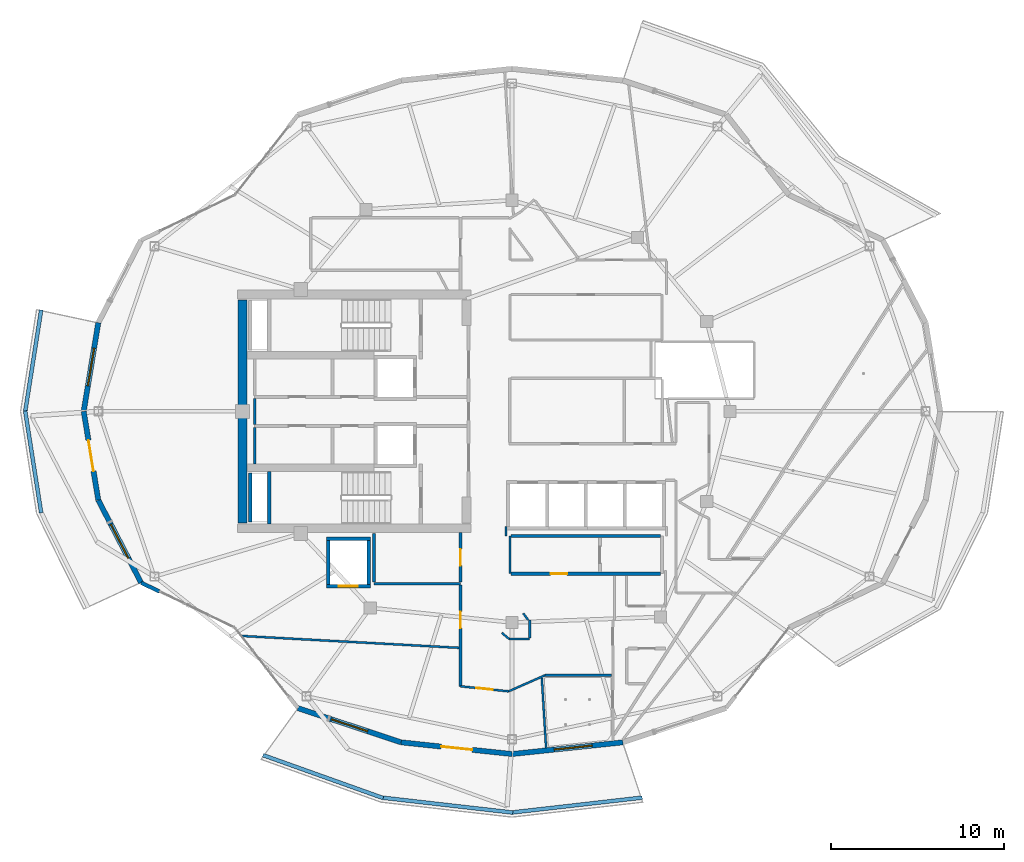
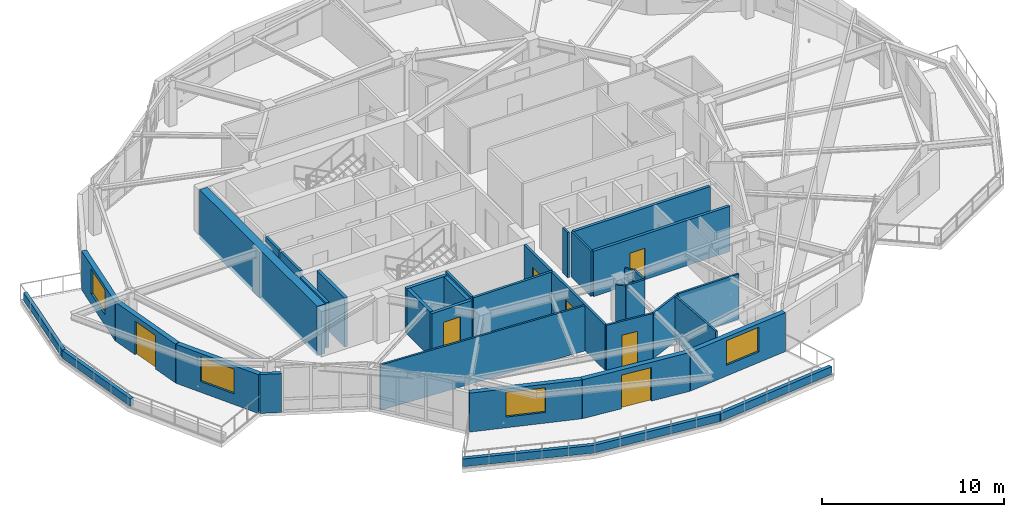
# One storey, part 7 of 19: 38 walls, 7 doors, 4 windows, 11 openings.
"""IFC4 building model written with IfcOpenShell, lengths in metres."""

import ifcopenshell
import ifcopenshell.guid

model = None  # the IFC model being written
_history = None  # IfcOwnerHistory: only IFC2X3 demands one
_inside = {}  # id of a spatial element -> (the spatial element, [elements in it])
_under = {}  # id of a project, library or spatial element -> (it, [spatial elements below it])
_declared = {}  # id of a project -> (the project, [libraries it declares])
_typed = {}  # id of a type object -> (the type object, [elements of that type])
_made_of = {}  # id of a material, layer set ... -> (it, [elements and type objects made of it])


def new_model(schema):
    """Start an empty IFC model of exactly this schema.

    Asked for "IFC4X3", IfcOpenShell would pick the latest addendum, in which some entities
    have other attributes; the version numbers below select the first issue.
    IFC2X3 requires an IfcOwnerHistory on every rooted entity: one is made here for all.
    """
    global model, _history
    if schema == "IFC4X3":
        model = ifcopenshell.file(schema_version=(4, 3, 0, 0))
    else:
        model = ifcopenshell.file(schema=schema)
    _inside.clear()
    _under.clear()
    _declared.clear()
    _typed.clear()
    _made_of.clear()
    _history = None
    if model.schema == "IFC2X3":
        org = make("IfcOrganization", Name="unknown")
        user = make(
            "IfcPersonAndOrganization",
            ThePerson=make("IfcPerson", FamilyName="unknown"),
            TheOrganization=org,
        )
        app = make(
            "IfcApplication",
            ApplicationDeveloper=org,
            Version="unknown",
            ApplicationFullName="unknown",
            ApplicationIdentifier="unknown",
        )
        _history = make(
            "IfcOwnerHistory",
            OwningUser=user,
            OwningApplication=app,
            ChangeAction="ADDED",
            CreationDate=0,
        )
    return model


def make(cls, **values):
    """One entity of the class cls with the attributes given. An attribute that is None is left unset."""
    return model.create_entity(
        cls, **{name: value for name, value in values.items() if value is not None}
    )


def rooted(cls, **values):
    """An entity with a GlobalId (a new one), such as an element, a storey or a relation."""
    return make(cls, GlobalId=ifcopenshell.guid.new(), OwnerHistory=_history, **values)


def si_unit(unit_type, name, prefix=None):
    """IfcSIUnit, for example si_unit("LENGTHUNIT", "METRE", prefix="MILLI")."""
    return make("IfcSIUnit", UnitType=unit_type, Prefix=prefix, Name=name)


def assignment(units):
    """IfcUnitAssignment: the units of a project."""
    return None if units is None else make("IfcUnitAssignment", Units=units)


def point(xyz):
    """IfcCartesianPoint."""
    return None if xyz is None else make("IfcCartesianPoint", Coordinates=xyz)


def direction(xyz):
    """IfcDirection."""
    return None if xyz is None else make("IfcDirection", DirectionRatios=xyz)


def frame(location, z_axis=None, x_axis=None):
    """IfcAxis2Placement3D, a coordinate frame: its origin and axes. An axis left out is left unset."""
    return make(
        "IfcAxis2Placement3D",
        Location=point(location),
        Axis=direction(z_axis),
        RefDirection=direction(x_axis),
    )


def frame_2d(location, x_axis=None):
    """IfcAxis2Placement2D, a coordinate frame in the plane: its origin and x axis."""
    return make(
        "IfcAxis2Placement2D", Location=point(location), RefDirection=direction(x_axis)
    )


def origin():
    """The frame at (0, 0, 0) with its axes left unset."""
    return frame((0.0, 0.0, 0.0))


def place(relative_to, where):
    """IfcLocalPlacement: puts the frame where relative to a parent placement (None: the world)."""
    return make(
        "IfcLocalPlacement", PlacementRelTo=relative_to, RelativePlacement=where
    )


def context(
    kind, dimensions, precision=None, world=None, true_north=None, identifier=None
):
    """IfcGeometricRepresentationContext, for example the 3D "Model" context."""
    return make(
        "IfcGeometricRepresentationContext",
        ContextIdentifier=identifier,
        ContextType=kind,
        CoordinateSpaceDimension=dimensions,
        Precision=precision,
        WorldCoordinateSystem=world,
        TrueNorth=true_north,
    )


def subcontext(parent, identifier, kind, view, scale=None):
    """IfcGeometricRepresentationSubContext, for example "Body" below "Model"."""
    return make(
        "IfcGeometricRepresentationSubContext",
        ContextIdentifier=identifier,
        ContextType=kind,
        ParentContext=parent,
        TargetScale=scale,
        TargetView=view,
    )


def project(units=None, contexts=None):
    """IfcProject with its units and contexts."""
    return rooted(
        "IfcProject",
        Name="project",
        RepresentationContexts=contexts,
        UnitsInContext=assignment(units),
    )


def spatial(cls, under=None, at=None, **own):
    """A site, building, storey or space (cls), placed at a placement, below another one or the project."""
    s = rooted(cls, ObjectPlacement=at, **own)
    if under is not None:
        _under.setdefault(under.id(), (under, []))[1].append(s)
    return s


def profile(cls, at=None, kind="AREA", **sizes):
    """A parametric profile (cls). Its sizes go by their IFC names, for example OverallWidth=200.0."""
    return make(cls, ProfileType=kind, Position=at, **sizes)


def rectangle(**sizes):
    """IfcRectangleProfileDef."""
    return profile("IfcRectangleProfileDef", **sizes)


def extrude(swept, where, along, depth):
    """IfcExtrudedAreaSolid: the profile swept, set in the frame where, extruded along a direction by depth."""
    return make(
        "IfcExtrudedAreaSolid",
        SweptArea=swept,
        Position=where,
        ExtrudedDirection=direction(along),
        Depth=depth,
    )


def shape(context_of_items, identifier, shape_type, items):
    """IfcShapeRepresentation: the items that make up one representation, for example the "Body"."""
    return make(
        "IfcShapeRepresentation",
        ContextOfItems=context_of_items,
        RepresentationIdentifier=identifier,
        RepresentationType=shape_type,
        Items=items,
    )


def material(Name=None, Category=None):
    """IfcMaterial."""
    return make("IfcMaterial", Name=Name, Category=Category)


def layer(
    of_material, thickness, ventilated=None, Name=None, Category=None, Priority=None
):
    """IfcMaterialLayer: one layer of a wall or slab, of a material (None: an air gap)."""
    return make(
        "IfcMaterialLayer",
        Material=of_material,
        LayerThickness=thickness,
        IsVentilated=ventilated,
        Name=Name,
        Category=Category,
        Priority=Priority,
    )


def layer_set(layers, Name=None):
    """IfcMaterialLayerSet."""
    return make("IfcMaterialLayerSet", MaterialLayers=layers, LayerSetName=Name)


def made_of(thing, what):
    """Note that an element or type object is made of a material, layer set ...; save() writes the relation."""
    if what is not None:
        _made_of.setdefault(what.id(), (what, []))[1].append(thing)
    return thing


def type_object(cls, material=None, **own):
    """A type object (cls), such as IfcWallType, which elements share."""
    return made_of(rooted(cls, **own), material)


def element(
    cls,
    number,
    at=None,
    inside=None,
    cuts=None,
    type_object=None,
    material=None,
    context=None,
    identifier="Body",
    shape_type=None,
    held_by="IfcProductDefinitionShape",
    body=None,
    shapes=None,
    **own,
):
    """One element of the class cls, such as IfcWall. Its Tag is "e" and its number.

    at: its placement. inside: the storey or other place that contains it. cuts: it is an
    opening in that element (IfcRelVoidsElement). A single representation is given by context,
    identifier, shape_type and body (its items); several are given by shapes. held_by: the class
    of the entity that holds the representations. save() writes the other relations.
    """
    e = rooted(cls, Tag="e%d" % number, ObjectPlacement=at, **own)
    if body is not None:
        shapes = [shape(context, identifier, shape_type, body)]
    if shapes is not None:
        e.Representation = make(held_by, Representations=shapes)
    if inside is not None:
        _inside.setdefault(inside.id(), (inside, []))[1].append(e)
    if cuts is not None:
        rooted(
            "IfcRelVoidsElement", RelatingBuildingElement=cuts, RelatedOpeningElement=e
        )
    if type_object is not None:
        _typed.setdefault(type_object.id(), (type_object, []))[1].append(e)
    return made_of(e, material)


def fill(opening, filler):
    """IfcRelFillsElement: the door or window that sits in an opening."""
    return rooted(
        "IfcRelFillsElement",
        RelatingOpeningElement=opening,
        RelatedBuildingElement=filler,
    )


def aggregate(whole, parts):
    """IfcRelAggregates: a whole, such as a stair, and the parts it consists of."""
    return rooted("IfcRelAggregates", RelatingObject=whole, RelatedObjects=parts)


def save(model, path):
    """Write the relations noted so far, then the file.

    IfcRelAggregates (storeys below a building ...), IfcRelContainedInSpatialStructure (elements
    in a storey), IfcRelDefinesByType, IfcRelAssociatesMaterial and IfcRelDeclares: one each for
    every whole, place, type object, material and project.
    """
    for whole, parts in _under.values():
        aggregate(whole, parts)
    for where, things in _inside.values():
        rooted(
            "IfcRelContainedInSpatialStructure",
            RelatedElements=things,
            RelatingStructure=where,
        )
    for kind, things in _typed.values():
        rooted("IfcRelDefinesByType", RelatedObjects=things, RelatingType=kind)
    for what, things in _made_of.values():
        rooted("IfcRelAssociatesMaterial", RelatedObjects=things, RelatingMaterial=what)
    for by, libraries in _declared.values():
        rooted("IfcRelDeclares", RelatingContext=by, RelatedDefinitions=libraries)
    model.write(path)


model = new_model("IFC4")

# Units and contexts
model_context = context("Model", 3, precision=1e-05, world=origin(), true_north=direction((0.0, 1.0)))
body_context = subcontext(model_context, "Body", "Model", "MODEL_VIEW")
ifc_project = project(units=[si_unit("LENGTHUNIT", "METRE"), si_unit("AREAUNIT", "SQUARE_METRE"), si_unit("VOLUMEUNIT", "CUBIC_METRE"), si_unit("PLANEANGLEUNIT", "RADIAN"), si_unit("MASSUNIT", "GRAM", prefix="KILO")], contexts=[model_context])

# Site, building, storey
site_placement = place(None, origin())
site = spatial("IfcSite", under=ifc_project, at=site_placement, CompositionType="ELEMENT")
building_placement = place(site_placement, origin())
building = spatial("IfcBuilding", under=site, at=building_placement, Name="Kolvaren Gate Tower and Convention Centre", CompositionType="ELEMENT")
storey_placement = place(building_placement, frame((0.0, 0.0, 212.89990234375)))
storey = spatial("IfcBuildingStorey", under=building, at=storey_placement, Name="L56", CompositionType="ELEMENT", Elevation=212.89990234375)

# Wall, opening, door
ifc_material_1 = material(Name="Autoclaved Aerated Masonry Blockwork Class 4 (4.0 MPa)", Category="masonry")
ifc_layer_1 = layer(ifc_material_1, 0.179931640625)
ifc_layer_set_1 = layer_set([ifc_layer_1], Name="Autoclaved Aerated Masonry Blockwork Class 4 (4.0 MPa)")
wall_type_1 = type_object("IfcWallType", Name="ARCH-WL-COMP-180", PredefinedType="SOLIDWALL", material=ifc_layer_set_1)
wall_1_placement = place(storey_placement, frame((30.06201171875, 17.6201171875, 0.0), z_axis=(0.0, 0.0, 1.0), x_axis=(1.0, 0.0, 0.0)))
wall_1 = element("IfcWall", 1, at=wall_1_placement, inside=storey, type_object=wall_type_1, Name="Interior Partition WL-L56-INT-025", PredefinedType="SOLIDWALL", context=body_context, shape_type="SweptSolid", body=[
    extrude(rectangle(XDim=8.64599609375, YDim=0.179931640625, at=frame_2d((4.322998046875, 0.0))), origin(), (0.0, 0.0, 1.0), 3.030029296875),
])
opening_1_placement = place(wall_1_placement, frame((2.299072265625, 0.0, 0.0)))
opening_1 = element("IfcOpeningElement", 2, at=opening_1_placement, cuts=wall_1, Name="Opening DR-01", PredefinedType="OPENING", context=body_context, shape_type="SweptSolid", body=[
    extrude(rectangle(XDim=0.949951171875, YDim=2.10009765625, at=frame_2d((0.47509765625, 1.050048828125))), frame((0.0, 0.099853515625, 0.0), z_axis=(0.0, -1.0, 0.0), x_axis=(1.0, 0.0, 0.0)), (0.0, 0.0, 1.0), 0.199951171875),
])
ifc_material_2 = material(Name="Painted Architectural Steelwork ASTM A500 Grade C 345 MPa", Category="steel")
door_type_1 = type_object("IfcDoorType", Name="ARCH-DR-RISER-950", OperationType="SINGLE_SWING_RIGHT", PredefinedType="DOOR", material=ifc_material_2)
door_1_placement = place(opening_1_placement, origin())
door_1 = element("IfcDoor", 3, at=door_1_placement, inside=storey, type_object=door_type_1, Name="Resident Quiet Library Door", OperationType="SINGLE_SWING_LEFT", OverallHeight=2.10009765625, OverallWidth=0.949951171875, PredefinedType="DOOR", context=body_context, shape_type="SweptSolid", body=[
    extrude(rectangle(XDim=0.949951171875, YDim=2.10009765625, at=frame_2d((0.47509765625, 1.050048828125))), frame((0.0, 0.02490234375, 0.0), z_axis=(0.0, -1.0, 0.0), x_axis=(1.0, 0.0, 0.0)), (0.0, 0.0, 1.0), 0.050048828125),
])
fill(opening_1, door_1)

# Walls
wall_2_placement = place(storey_placement, frame((30.06201171875, 19.800048828125, 0.0), z_axis=(0.0, 0.0, 1.0), x_axis=(1.0, 0.0, 0.0)))
element("IfcWall", 4, at=wall_2_placement, inside=storey, type_object=wall_type_1, Name="Interior Partition WL-L56-INT-026", PredefinedType="SOLIDWALL", context=body_context, shape_type="SweptSolid", body=[
    extrude(rectangle(XDim=8.64599609375, YDim=0.179931640625, at=frame_2d((4.322998046875, 0.0))), origin(), (0.0, 0.0, 1.0), 3.030029296875),
])
ifc_material_3 = material(Name="Fire-Rated Acoustic Gypsum Stud Partition", Category="gypsum")
ifc_layer_2 = layer(ifc_material_3, 0.1201171875)
ifc_layer_set_2 = layer_set([ifc_layer_2], Name="Fire-Rated Acoustic Gypsum Stud Partition")
wall_type_2 = type_object("IfcWallType", Name="ARCH-WL-PART-120", PredefinedType="PARTITIONING", material=ifc_layer_set_2)
wall_3_placement = place(storey_placement, frame((30.0, 17.6201171875, 0.0), z_axis=(0.0, 0.0, 1.0), x_axis=(0.0, 1.0, 0.0)))
element("IfcWall", 5, at=wall_3_placement, inside=storey, type_object=wall_type_2, Name="Interior Partition WL-L56-INT-014", PredefinedType="PARTITIONING", context=body_context, shape_type="SweptSolid", body=[
    extrude(rectangle(XDim=2.179931640625, YDim=0.1201171875, at=frame_2d((1.08984375, 0.0))), origin(), (0.0, 0.0, 1.0), 3.030029296875),
])
wall_4_placement = place(storey_placement, frame((29.780029296875, 19.800048828125, 0.0), z_axis=(0.0, 0.0, 1.0), x_axis=(0.0, 1.0, 0.0)))
element("IfcWall", 6, at=wall_4_placement, inside=storey, type_object=wall_type_2, Name="Interior Partition WL-L56-INT-052", PredefinedType="PARTITIONING", context=body_context, shape_type="SweptSolid", body=[
    extrude(rectangle(XDim=0.56005859375, YDim=0.1201171875, at=frame_2d((0.280029296875, 0.0))), origin(), (0.0, 0.0, 1.0), 3.030029296875),
])
wall_5_placement = place(storey_placement, frame((32.033935546875, 11.75, 0.0), z_axis=(0.0, 0.0, 1.0), x_axis=(1.0, 0.0, 0.0)))
element("IfcWall", 7, at=wall_5_placement, inside=storey, type_object=wall_type_2, Name="Interior Partition WL-L56-INT-055", PredefinedType="PARTITIONING", context=body_context, shape_type="SweptSolid", body=[
    extrude(rectangle(XDim=3.85400390625, YDim=0.1201171875, at=frame_2d((1.927001953125, 0.0))), origin(), (0.0, 0.0, 1.0), 3.030029296875),
])
wall_6_placement = place(storey_placement, frame((29.925048828125, 10.821044921875, 0.0), z_axis=(0.0, 0.0, 1.0), x_axis=(0.915147800009, 0.403118474072, 0.0)))
element("IfcWall", 8, at=wall_6_placement, inside=storey, type_object=wall_type_2, Name="Interior Partition WL-L56-INT-056", PredefinedType="PARTITIONING", context=body_context, shape_type="SweptSolid", body=[
    extrude(rectangle(XDim=2.304443359375, YDim=0.1201171875, at=frame_2d((1.15234375, 0.0))), origin(), (0.0, 0.0, 1.0), 3.030029296875),
])

# Wall, opening, door
wall_7_placement = place(storey_placement, frame((27.14990234375, 11.113037109375, 0.0), z_axis=(0.0, 0.0, 1.0), x_axis=(0.994510245906, -0.104639241146, 0.0)))
wall_7 = element("IfcWall", 9, at=wall_7_placement, inside=storey, type_object=wall_type_2, Name="Interior Partition WL-L56-INT-057", PredefinedType="PARTITIONING", context=body_context, shape_type="SweptSolid", body=[
    extrude(rectangle(XDim=2.79052734375, YDim=0.1201171875, at=frame_2d((1.395263671875, 0.0))), origin(), (0.0, 0.0, 1.0), 3.030029296875),
])
opening_2_placement = place(wall_7_placement, frame((0.920166015625, 0.0, 0.0)))
opening_2 = element("IfcOpeningElement", 10, at=opening_2_placement, cuts=wall_7, Name="Opening DR-01", PredefinedType="OPENING", context=body_context, shape_type="SweptSolid", body=[
    extrude(rectangle(XDim=0.949951171875, YDim=2.10009765625, at=frame_2d((0.47509765625, 1.050048828125))), frame((0.0, 0.070068359375, 0.0), z_axis=(0.0, -1.0, 0.0), x_axis=(1.0, 0.0, 0.0)), (0.0, 0.0, 1.0), 0.14013671875),
])
door_2_placement = place(opening_2_placement, origin())
door_2 = element("IfcDoor", 11, at=door_2_placement, inside=storey, type_object=door_type_1, Name="Resident Private Study Door", OperationType="SINGLE_SWING_LEFT", OverallHeight=2.10009765625, OverallWidth=0.949951171875, PredefinedType="DOOR", context=body_context, shape_type="SweptSolid", body=[
    extrude(rectangle(XDim=0.949951171875, YDim=2.10009765625, at=frame_2d((0.47509765625, 1.050048828125))), frame((0.0, 0.02490234375, 0.0), z_axis=(0.0, -1.0, 0.0), x_axis=(1.0, 0.0, 0.0)), (0.0, 0.0, 1.0), 0.050048828125),
])
fill(opening_2, door_2)

# Walls
wall_8_placement = place(storey_placement, frame((29.9599609375, 13.85009765625, 0.0), z_axis=(0.0, 0.0, 1.0), x_axis=(1.0, 0.0, 0.0)))
element("IfcWall", 12, at=wall_8_placement, inside=storey, type_object=wall_type_2, Name="Interior Partition WL-L56-INT-059", PredefinedType="PARTITIONING", context=body_context, shape_type="SweptSolid", body=[
    extrude(rectangle(XDim=1.18994140625, YDim=0.1201171875, at=frame_2d((0.594970703125, 0.0))), origin(), (0.0, 0.0, 1.0), 3.030029296875),
])
wall_9_placement = place(storey_placement, frame((31.14990234375, 13.912109375, 0.0), z_axis=(0.0, 0.0, 1.0), x_axis=(0.0, 1.0, 0.0)))
element("IfcWall", 13, at=wall_9_placement, inside=storey, type_object=wall_type_2, Name="Interior Partition WL-L56-INT-060", PredefinedType="PARTITIONING", context=body_context, shape_type="SweptSolid", body=[
    extrude(rectangle(XDim=1.037841796875, YDim=0.1201171875, at=frame_2d((0.51904296875, 0.0))), origin(), (0.0, 0.0, 1.0), 3.030029296875),
])
wall_10_placement = place(storey_placement, frame((30.77392578125, 15.3330078125, 0.0), z_axis=(0.0, 0.0, 1.0), x_axis=(0.595814974861, -0.803121731577, 0.0)))
element("IfcWall", 14, at=wall_10_placement, inside=storey, type_object=wall_type_2, Name="Interior Partition WL-L56-INT-061", PredefinedType="PARTITIONING", context=body_context, shape_type="SweptSolid", body=[
    extrude(rectangle(XDim=0.47705078125, YDim=0.1201171875, at=frame_2d((0.238525390625, 0.0))), origin(), (0.0, 0.0, 1.0), 3.030029296875),
])
wall_11_placement = place(storey_placement, frame((29.531005859375, 14.2060546875, 0.0), z_axis=(0.0, 0.0, 1.0), x_axis=(0.7695479554, -0.638589026166, 0.0)))
element("IfcWall", 15, at=wall_11_placement, inside=storey, type_object=wall_type_2, Name="Interior Partition WL-L56-INT-062", PredefinedType="PARTITIONING", context=body_context, shape_type="SweptSolid", body=[
    extrude(rectangle(XDim=0.557373046875, YDim=0.1201171875, at=frame_2d((0.27880859375, 0.0))), origin(), (0.0, 0.0, 1.0), 3.030029296875),
])
wall_12_placement = place(storey_placement, frame((14.51513671875, 14.022216796875, 0.0), z_axis=(0.0, 0.0, 1.0), x_axis=(0.998511116838, -0.054548598058, 0.0)))
element("IfcWall", 16, at=wall_12_placement, inside=storey, type_object=wall_type_2, Name="Interior Partition WL-L56-INT-063", PredefinedType="PARTITIONING", context=body_context, shape_type="SweptSolid", body=[
    extrude(rectangle(XDim=12.57666015625, YDim=0.1201171875, at=frame_2d((6.288330078125, 0.0))), origin(), (0.0, 0.0, 1.0), 3.030029296875),
])
wall_13_placement = place(storey_placement, frame((31.84716796875, 11.599853515625, 0.0), z_axis=(0.0, 0.0, 1.0), x_axis=(0.061108836762, -0.998131108657, 0.0)))
element("IfcWall", 17, at=wall_13_placement, inside=storey, type_object=wall_type_2, Name="Interior Partition WL-L56-INT-065", PredefinedType="PARTITIONING", context=body_context, shape_type="SweptSolid", body=[
    extrude(rectangle(XDim=4.047119140625, YDim=0.1201171875, at=frame_2d((2.0234375, 0.0))), origin(), (0.0, 0.0, 1.0), 3.030029296875),
])
ifc_material_4 = material(Name="Bogota Sabana Bush-Hammered Sandstone Cladding", Category="masonry")
ifc_layer_3 = layer(ifc_material_4, 0.219970703125)
ifc_layer_set_3 = layer_set([ifc_layer_3], Name="Bogota Sabana Bush-Hammered Sandstone Cladding")
wall_type_3 = type_object("IfcWallType", Name="ARCH-WL-PIER-220", PredefinedType="SOLIDWALL", material=ifc_layer_set_3)
wall_14_placement = place(storey_placement, frame((8.69091796875, 17.10009765625, 0.0), z_axis=(0.0, 0.0, 1.0), x_axis=(0.901264843027, -0.433268603437, 0.0)))
element("IfcWall", 18, at=wall_14_placement, inside=storey, type_object=wall_type_3, Name="Tower L56 Unitised Curtain Wall CW-RES-UNIT Bay 14 Left Column Pier Wrap", PredefinedType="SOLIDWALL", context=body_context, shape_type="SweptSolid", body=[
    extrude(rectangle(XDim=1.18115234375, YDim=0.219970703125, at=frame_2d((0.590576171875, 0.0))), origin(), (0.0, 0.0, 1.0), 2.60498046875),
])
ifc_material_5 = material(Name="Piedmont Cream Honed Limestone Cladding", Category="masonry")
ifc_layer_4 = layer(ifc_material_5, 0.219970703125)
ifc_layer_set_4 = layer_set([ifc_layer_4], Name="Piedmont Cream Honed Limestone Cladding")
wall_type_4 = type_object("IfcWallType", Name="ARCH-WL-PLANTER-220", PredefinedType="PARAPET", material=ifc_layer_set_4)
for number, where, z_axis, x_axis, name in (
    (19, (1.993408203125, 26.970703125, 0.0), (0.0, 0.0, 1.0), (0.1550711793, 0.987903299595, 0.0), "Vertical-Forest Balcony Stone Planter Kerb PK-L56-2.1"),
    (20, (1.993408203125, 27.029296875, 0.0), (0.0, 0.0, 1.0), (0.1550711793, -0.987903299595, 0.0), "Vertical-Forest Balcony Stone Planter Kerb PK-L56-2.2"),
):
    element("IfcWall", number, at=place(storey_placement, frame(where, z_axis=z_axis, x_axis=x_axis)), inside=storey, type_object=wall_type_4, Name=name, PredefinedType="PARAPET", context=body_context, shape_type="SweptSolid", body=[
        extrude(rectangle(XDim=5.963623046875, YDim=0.219970703125, at=frame_2d((2.98193359375, 0.0))), origin(), (0.0, 0.0, 1.0), 0.52001953125),
    ])
wall_15_placement = place(storey_placement, frame((15.73681640625, 7.133544921875, 0.0), z_axis=(0.0, 0.0, 1.0), x_axis=(0.941780086523, -0.336229488042, 0.0)))
element("IfcWall", 21, at=wall_15_placement, inside=storey, type_object=wall_type_4, Name="Vertical-Forest Balcony Stone Planter Kerb PK-L56-3.1", PredefinedType="PARAPET", context=body_context, shape_type="SweptSolid", body=[
    extrude(rectangle(XDim=7.3779296875, YDim=0.219970703125, at=frame_2d((3.68896484375, 0.0))), origin(), (0.0, 0.0, 1.0), 0.52001953125),
])
for number, where, z_axis, x_axis, name in (
    (22, (22.602294921875, 4.680419921875, 0.0), (0.0, 0.0, 1.0), (0.993546198781, -0.113428175021, 0.0), "Vertical-Forest Balcony Stone Planter Kerb PK-L56-3.2"),
    (23, (30.07958984375, 3.81640625, 0.0), (0.0, 0.0, 1.0), (0.993546198781, 0.113428175021, 0.0), "Vertical-Forest Balcony Stone Planter Kerb PK-L56-3.3"),
):
    element("IfcWall", number, at=place(storey_placement, frame(where, z_axis=z_axis, x_axis=x_axis)), inside=storey, type_object=wall_type_4, Name=name, PredefinedType="PARAPET", context=body_context, shape_type="SweptSolid", body=[
        extrude(rectangle(XDim=7.6171875, YDim=0.219970703125, at=frame_2d((3.80859375, 0.0))), origin(), (0.0, 0.0, 1.0), 0.52001953125),
    ])
ifc_layer_5 = layer(ifc_material_1, 0.199951171875)
ifc_layer_set_5 = layer_set([ifc_layer_5], Name="Autoclaved Aerated Masonry Blockwork Class 4 (4.0 MPa)")
wall_type_5 = type_object("IfcWallType", Name="ARCH-WL-SHAFT-200", PredefinedType="SOLIDWALL", material=ifc_layer_set_5)
wall_16_placement = place(storey_placement, frame((19.39990234375, 19.64990234375, 0.0), z_axis=(0.0, 0.0, 1.0), x_axis=(1.0, 0.0, 0.0)))
element("IfcWall", 24, at=wall_16_placement, inside=storey, type_object=wall_type_5, Name="Elevator SV-01 L56 Fire Shaft Wall N", PredefinedType="SOLIDWALL", context=body_context, shape_type="SweptSolid", body=[
    extrude(rectangle(XDim=2.550048828125, YDim=0.199951171875, at=frame_2d((1.27490234375, 0.0))), origin(), (0.0, 0.0, 1.0), 3.030029296875),
])

# Wall, opening, door
wall_17_placement = place(storey_placement, frame((19.39990234375, 16.89990234375, 0.0), z_axis=(0.0, 0.0, 1.0), x_axis=(1.0, 0.0, 0.0)))
wall_17 = element("IfcWall", 25, at=wall_17_placement, inside=storey, type_object=wall_type_5, Name="Elevator SV-01 L56 Fire Shaft Wall S", PredefinedType="SOLIDWALL", context=body_context, shape_type="SweptSolid", body=[
    extrude(rectangle(XDim=2.550048828125, YDim=0.199951171875, at=frame_2d((1.27490234375, 0.0))), origin(), (0.0, 0.0, 1.0), 3.030029296875),
])
opening_3_placement = place(wall_17_placement, frame((0.72509765625, 0.0, 0.0)))
opening_3 = element("IfcOpeningElement", 26, at=opening_3_placement, cuts=wall_17, Name="Opening LD", PredefinedType="OPENING", context=body_context, shape_type="SweptSolid", body=[
    extrude(rectangle(XDim=1.10009765625, YDim=2.199951171875, at=frame_2d((0.550048828125, 1.10009765625))), frame((0.0, 0.10986328125, 0.0), z_axis=(0.0, -1.0, 0.0), x_axis=(1.0, 0.0, 0.0)), (0.0, 0.0, 1.0), 0.219970703125),
])
ifc_material_6 = material(Name="Brushed Stainless Steel Grade 316L", Category="steel")
door_type_2 = type_object("IfcDoorType", Name="ARCH-DR-LIFT-1100", OperationType="SLIDING_TO_LEFT", PredefinedType="DOOR", material=ifc_material_6)
door_3_placement = place(opening_3_placement, origin())
door_3 = element("IfcDoor", 27, at=door_3_placement, inside=storey, type_object=door_type_2, Name="Elevator SV-01 L56 Sliding Landing Door", OperationType="SLIDING_TO_LEFT", OverallHeight=2.199951171875, OverallWidth=1.10009765625, PredefinedType="DOOR", context=body_context, shape_type="SweptSolid", body=[
    extrude(rectangle(XDim=1.10009765625, YDim=2.199951171875, at=frame_2d((0.550048828125, 1.10009765625))), frame((0.0, 0.02490234375, 0.0), z_axis=(0.0, -1.0, 0.0), x_axis=(1.0, 0.0, 0.0)), (0.0, 0.0, 1.0), 0.050048828125),
])
fill(opening_3, door_3)

# Walls
for number, where, z_axis, x_axis, name in (
    (28, (19.5, 17.010009765625, 0.0), (0.0, 0.0, 1.0), (0.0, 1.0, 0.0), "Elevator SV-01 L56 Fire Shaft Wall W"),
    (29, (21.85009765625, 17.010009765625, 0.0), (0.0, 0.0, 1.0), (0.0, 1.0, 0.0), "Elevator SV-01 L56 Fire Shaft Wall E"),
):
    element("IfcWall", number, at=place(storey_placement, frame(where, z_axis=z_axis, x_axis=x_axis)), inside=storey, type_object=wall_type_5, Name=name, PredefinedType="SOLIDWALL", context=body_context, shape_type="SweptSolid", body=[
        extrude(rectangle(XDim=2.530029296875, YDim=0.199951171875, at=frame_2d((1.26513671875, 0.0))), origin(), (0.0, 0.0, 1.0), 3.030029296875),
    ])
wall_18_placement = place(storey_placement, frame((14.989990234375, 20.60009765625, 0.0), z_axis=(0.0, 0.0, 1.0), x_axis=(0.0, 1.0, 0.0)))
element("IfcWall", 30, at=wall_18_placement, inside=storey, type_object=wall_type_5, Name="Vertical Shaft MPR L56 EI-120 Enclosure Wall W", PredefinedType="SOLIDWALL", context=body_context, shape_type="SweptSolid", body=[
    extrude(rectangle(XDim=2.849853515625, YDim=0.199951171875, at=frame_2d((1.4248046875, 0.0))), origin(), (0.0, 0.0, 1.0), 3.030029296875),
])

# Wall, opening, window
ifc_layer_6 = layer(ifc_material_5, 0.300048828125)
ifc_layer_set_6 = layer_set([ifc_layer_6], Name="Piedmont Cream Honed Limestone Cladding")
wall_type_6 = type_object("IfcWallType", Name="ARCH-WL-STONE-300", PredefinedType="SOLIDWALL", material=ifc_layer_set_6)
wall_19_placement = place(storey_placement, frame((5.375, 27.0, 0.0), z_axis=(0.0, 0.0, 1.0), x_axis=(0.16237087798, 0.986729799886, 0.0)))
wall_19 = element("IfcWall", 31, at=wall_19_placement, inside=storey, type_object=wall_type_6, Name="Tower L56 Honed Stone Spandrel Wall EW-11", PredefinedType="SOLIDWALL", context=body_context, shape_type="SweptSolid", body=[
    extrude(rectangle(XDim=5.193359375, YDim=0.300048828125, at=frame_2d((2.5966796875, 0.0))), origin(), (0.0, 0.0, 1.0), 2.60498046875),
])
opening_4_placement = place(wall_19_placement, frame((1.4970703125, 0.0, 0.719970703125)))
opening_4 = element("IfcOpeningElement", 32, at=opening_4_placement, cuts=wall_19, Name="Opening W-03", PredefinedType="OPENING", context=body_context, shape_type="SweptSolid", body=[
    extrude(rectangle(XDim=2.199951171875, YDim=1.64990234375, at=frame_2d((1.10009765625, 0.824951171875))), frame((0.0, 0.159912109375, 0.0), z_axis=(0.0, -1.0, 0.0), x_axis=(1.0, 0.0, 0.0)), (0.0, 0.0, 1.0), 0.320068359375),
])
ifc_material_7 = material(Name="Low-E Triple Insulated Glazing Unit 44 mm", Category="glass")
window_type = type_object("IfcWindowType", Name="ARCH-WN-RES-2200", PartitioningType="SINGLE_PANEL", PredefinedType="WINDOW", material=ifc_material_7)
window_1_placement = place(opening_4_placement, origin())
window_1 = element("IfcWindow", 33, at=window_1_placement, inside=storey, type_object=window_type, Name="Tower L56 Punched Stone Facade Window W-11", OverallHeight=1.64990234375, OverallWidth=2.199951171875, PartitioningType="SINGLE_PANEL", PredefinedType="WINDOW", context=body_context, shape_type="SweptSolid", body=[
    extrude(rectangle(XDim=2.199951171875, YDim=1.64990234375, at=frame_2d((1.10009765625, 0.824951171875))), frame((0.0, 0.030029296875, 0.0), z_axis=(0.0, -1.0, 0.0), x_axis=(1.0, 0.0, 0.0)), (0.0, 0.0, 1.0), 0.06005859375),
])
fill(opening_4, window_1)

# Wall, opening, door
wall_20_placement = place(storey_placement, frame((5.375, 27.0, 0.0), z_axis=(0.0, 0.0, 1.0), x_axis=(0.16237087798, -0.986729799886, 0.0)))
wall_20 = element("IfcWall", 34, at=wall_20_placement, inside=storey, type_object=wall_type_6, Name="Tower L56 Honed Stone Spandrel Wall EW-12", PredefinedType="SOLIDWALL", context=body_context, shape_type="SweptSolid", body=[
    extrude(rectangle(XDim=5.193359375, YDim=0.300048828125, at=frame_2d((2.5966796875, 0.0))), origin(), (0.0, 0.0, 1.0), 2.60498046875),
])
opening_5_placement = place(wall_20_placement, frame((1.697021484375, 0.0, 0.0)))
opening_5 = element("IfcOpeningElement", 35, at=opening_5_placement, cuts=wall_20, Name="Opening DB-01", PredefinedType="OPENING", context=body_context, shape_type="SweptSolid", body=[
    extrude(rectangle(XDim=1.800048828125, YDim=2.25, at=frame_2d((0.89990234375, 1.125))), frame((0.0, 0.159912109375, 0.0), z_axis=(0.0, -1.0, 0.0), x_axis=(1.0, 0.0, 0.0)), (0.0, 0.0, 1.0), 0.320068359375),
])
ifc_material_8 = material(Name="Anodized Architectural Aluminium Alloy 6063-T6", Category="aluminium")
door_type_3 = type_object("IfcDoorType", Name="ARCH-DR-BALC-1800", OperationType="SLIDING_TO_LEFT", PredefinedType="DOOR", material=ifc_material_8)
door_4_placement = place(opening_5_placement, frame((1.800048828125, 0.0, 0.0), z_axis=(0.0, 0.0, 1.0), x_axis=(-1.0, 0.0, 0.0)))
door_4 = element("IfcDoor", 36, at=door_4_placement, inside=storey, type_object=door_type_3, Name="Planted Sky Terrace Access Door DB-L56-12", OperationType="SLIDING_TO_LEFT", OverallHeight=2.25, OverallWidth=1.800048828125, PredefinedType="DOOR", context=body_context, shape_type="SweptSolid", body=[
    extrude(rectangle(XDim=1.800048828125, YDim=2.25, at=frame_2d((0.89990234375, 1.125))), frame((0.0, 0.02490234375, 0.0), z_axis=(0.0, -1.0, 0.0), x_axis=(1.0, 0.0, 0.0)), (0.0, 0.0, 1.0), 0.050048828125),
])
fill(opening_5, door_4)

# Wall, opening, window
wall_21_placement = place(storey_placement, frame((6.21826171875, 21.87548828125, 0.0), z_axis=(0.0, 0.0, 1.0), x_axis=(0.459808219482, -0.888018243786, 0.0)))
wall_21 = element("IfcWall", 37, at=wall_21_placement, inside=storey, type_object=wall_type_6, Name="Tower L56 Honed Stone Spandrel Wall EW-13", PredefinedType="SOLIDWALL", context=body_context, shape_type="SweptSolid", body=[
    extrude(rectangle(XDim=5.377685546875, YDim=0.300048828125, at=frame_2d((2.68896484375, 0.0))), origin(), (0.0, 0.0, 1.0), 2.60498046875),
])
opening_6_placement = place(wall_21_placement, frame((1.589111328125, 0.0, 0.719970703125)))
opening_6 = element("IfcOpeningElement", 38, at=opening_6_placement, cuts=wall_21, Name="Opening W-03", PredefinedType="OPENING", context=body_context, shape_type="SweptSolid", body=[
    extrude(rectangle(XDim=2.199951171875, YDim=1.64990234375, at=frame_2d((1.10009765625, 0.824951171875))), frame((0.0, 0.159912109375, 0.0), z_axis=(0.0, -1.0, 0.0), x_axis=(1.0, 0.0, 0.0)), (0.0, 0.0, 1.0), 0.320068359375),
])
window_2_placement = place(opening_6_placement, origin())
window_2 = element("IfcWindow", 39, at=window_2_placement, inside=storey, type_object=window_type, Name="Tower L56 Punched Stone Facade Window W-13", OverallHeight=1.64990234375, OverallWidth=2.199951171875, PartitioningType="SINGLE_PANEL", PredefinedType="WINDOW", context=body_context, shape_type="SweptSolid", body=[
    extrude(rectangle(XDim=2.199951171875, YDim=1.64990234375, at=frame_2d((1.10009765625, 0.824951171875))), frame((0.0, 0.030029296875, 0.0), z_axis=(0.0, -1.0, 0.0), x_axis=(1.0, 0.0, 0.0)), (0.0, 0.0, 1.0), 0.06005859375),
])
fill(opening_6, window_2)

wall_22_placement = place(storey_placement, frame((17.75, 9.852783203125, 0.0), z_axis=(0.0, 0.0, 1.0), x_axis=(0.949240877604, -0.314550085495, 0.0)))
wall_22 = element("IfcWall", 40, at=wall_22_placement, inside=storey, type_object=wall_type_6, Name="Tower L56 Honed Stone Spandrel Wall EW-16", PredefinedType="SOLIDWALL", context=body_context, shape_type="SweptSolid", body=[
    extrude(rectangle(XDim=6.288330078125, YDim=0.300048828125, at=frame_2d((3.14404296875, 0.0))), origin(), (0.0, 0.0, 1.0), 2.60498046875),
])
opening_7_placement = place(wall_22_placement, frame((2.0439453125, 0.0, 0.719970703125)))
opening_7 = element("IfcOpeningElement", 41, at=opening_7_placement, cuts=wall_22, Name="Opening W-03", PredefinedType="OPENING", context=body_context, shape_type="SweptSolid", body=[
    extrude(rectangle(XDim=2.199951171875, YDim=1.64990234375, at=frame_2d((1.10009765625, 0.824951171875))), frame((0.0, 0.159912109375, 0.0), z_axis=(0.0, -1.0, 0.0), x_axis=(1.0, 0.0, 0.0)), (0.0, 0.0, 1.0), 0.320068359375),
])
window_3_placement = place(opening_7_placement, origin())
window_3 = element("IfcWindow", 42, at=window_3_placement, inside=storey, type_object=window_type, Name="Tower L56 Punched Stone Facade Window W-16", OverallHeight=1.64990234375, OverallWidth=2.199951171875, PartitioningType="SINGLE_PANEL", PredefinedType="WINDOW", context=body_context, shape_type="SweptSolid", body=[
    extrude(rectangle(XDim=2.199951171875, YDim=1.64990234375, at=frame_2d((1.10009765625, 0.824951171875))), frame((0.0, 0.030029296875, 0.0), z_axis=(0.0, -1.0, 0.0), x_axis=(1.0, 0.0, 0.0)), (0.0, 0.0, 1.0), 0.06005859375),
])
fill(opening_7, window_3)

# Wall, opening, door
wall_23_placement = place(storey_placement, frame((23.71923828125, 7.874755859375, 0.0), z_axis=(0.0, 0.0, 1.0), x_axis=(0.994497142298, -0.104763705363, 0.0)))
wall_23 = element("IfcWall", 43, at=wall_23_placement, inside=storey, type_object=wall_type_6, Name="Tower L56 Honed Stone Spandrel Wall EW-17", PredefinedType="SOLIDWALL", context=body_context, shape_type="SweptSolid", body=[
    extrude(rectangle(XDim=6.441162109375, YDim=0.300048828125, at=frame_2d((3.220703125, 0.0))), origin(), (0.0, 0.0, 1.0), 2.60498046875),
])
opening_8_placement = place(wall_23_placement, frame((2.321044921875, 0.0, 0.0)))
opening_8 = element("IfcOpeningElement", 44, at=opening_8_placement, cuts=wall_23, Name="Opening DB-01", PredefinedType="OPENING", context=body_context, shape_type="SweptSolid", body=[
    extrude(rectangle(XDim=1.800048828125, YDim=2.25, at=frame_2d((0.89990234375, 1.125))), frame((0.0, 0.159912109375, 0.0), z_axis=(0.0, -1.0, 0.0), x_axis=(1.0, 0.0, 0.0)), (0.0, 0.0, 1.0), 0.320068359375),
])
door_5_placement = place(opening_8_placement, frame((1.800048828125, 0.0, 0.0), z_axis=(0.0, 0.0, 1.0), x_axis=(-1.0, 0.0, 0.0)))
door_5 = element("IfcDoor", 45, at=door_5_placement, inside=storey, type_object=door_type_3, Name="Planted Sky Terrace Access Door DB-L56-17", OperationType="SLIDING_TO_LEFT", OverallHeight=2.25, OverallWidth=1.800048828125, PredefinedType="DOOR", context=body_context, shape_type="SweptSolid", body=[
    extrude(rectangle(XDim=1.800048828125, YDim=2.25, at=frame_2d((0.89990234375, 1.125))), frame((0.0, 0.02490234375, 0.0), z_axis=(0.0, -1.0, 0.0), x_axis=(1.0, 0.0, 0.0)), (0.0, 0.0, 1.0), 0.050048828125),
])
fill(opening_8, door_5)

# Wall, opening, window
wall_24_placement = place(storey_placement, frame((30.125, 7.199951171875, 0.0), z_axis=(0.0, 0.0, 1.0), x_axis=(0.994497142298, 0.104763705363, 0.0)))
wall_24 = element("IfcWall", 46, at=wall_24_placement, inside=storey, type_object=wall_type_6, Name="Tower L56 Honed Stone Spandrel Wall EW-18", PredefinedType="SOLIDWALL", context=body_context, shape_type="SweptSolid", body=[
    extrude(rectangle(XDim=6.441162109375, YDim=0.300048828125, at=frame_2d((3.220703125, 0.0))), origin(), (0.0, 0.0, 1.0), 2.60498046875),
])
opening_9_placement = place(wall_24_placement, frame((2.449951171875, 0.0, 0.719970703125)))
opening_9 = element("IfcOpeningElement", 47, at=opening_9_placement, cuts=wall_24, Name="Opening W-03", PredefinedType="OPENING", context=body_context, shape_type="SweptSolid", body=[
    extrude(rectangle(XDim=2.199951171875, YDim=1.64990234375, at=frame_2d((1.10009765625, 0.824951171875))), frame((0.0, 0.159912109375, 0.0), z_axis=(0.0, -1.0, 0.0), x_axis=(1.0, 0.0, 0.0)), (0.0, 0.0, 1.0), 0.320068359375),
])
window_4_placement = place(opening_9_placement, origin())
window_4 = element("IfcWindow", 48, at=window_4_placement, inside=storey, type_object=window_type, Name="Tower L56 Punched Stone Facade Window W-18", OverallHeight=1.64990234375, OverallWidth=2.199951171875, PartitioningType="SINGLE_PANEL", PredefinedType="WINDOW", context=body_context, shape_type="SweptSolid", body=[
    extrude(rectangle(XDim=2.199951171875, YDim=1.64990234375, at=frame_2d((1.10009765625, 0.824951171875))), frame((0.0, 0.030029296875, 0.0), z_axis=(0.0, -1.0, 0.0), x_axis=(1.0, 0.0, 0.0)), (0.0, 0.0, 1.0), 0.06005859375),
])
fill(opening_9, window_4)

# Walls
ifc_material_9 = material(Name="Moisture-Resistant Cement-Board Acoustic Partition", Category="gypsum")
ifc_layer_7 = layer(ifc_material_9, 0.14990234375)
ifc_layer_set_7 = layer_set([ifc_layer_7], Name="Moisture-Resistant Cement-Board Acoustic Partition")
wall_type_7 = type_object("IfcWallType", Name="ARCH-WL-WET-150", PredefinedType="PARTITIONING", material=ifc_layer_set_7)
wall_25_placement = place(storey_placement, frame((15.25, 23.9619140625, 0.0), z_axis=(0.0, 0.0, 1.0), x_axis=(0.0, 1.0, 0.0)))
element("IfcWall", 49, at=wall_25_placement, inside=storey, type_object=wall_type_7, Name="Interior Partition WL-L56-INT-006", PredefinedType="PARTITIONING", context=body_context, shape_type="SweptSolid", body=[
    extrude(rectangle(XDim=2.106201171875, YDim=0.14990234375, at=frame_2d((1.05322265625, 0.0))), origin(), (0.0, 0.0, 1.0), 3.030029296875),
])
wall_26_placement = place(storey_placement, frame((15.25, 26.251953125, 0.0), z_axis=(0.0, 0.0, 1.0), x_axis=(0.0, 1.0, 0.0)))
element("IfcWall", 50, at=wall_26_placement, inside=storey, type_object=wall_type_7, Name="Interior Partition WL-L56-INT-006 (2)", PredefinedType="PARTITIONING", context=body_context, shape_type="SweptSolid", body=[
    extrude(rectangle(XDim=1.49609375, YDim=0.14990234375, at=frame_2d((0.748046875, 0.0))), origin(), (0.0, 0.0, 1.0), 3.030029296875),
])
wall_27_placement = place(storey_placement, frame((22.14990234375, 17.050048828125, 0.0), z_axis=(0.0, 0.0, 1.0), x_axis=(1.0, 0.0, 0.0)))
element("IfcWall", 51, at=wall_27_placement, inside=storey, type_object=wall_type_7, Name="Interior Partition WL-L56-INT-009", PredefinedType="PARTITIONING", context=body_context, shape_type="SweptSolid", body=[
    extrude(rectangle(XDim=5.0, YDim=0.14990234375, at=frame_2d((2.5, 0.0))), origin(), (0.0, 0.0, 1.0), 3.030029296875),
])
wall_28_placement = place(storey_placement, frame((22.14990234375, 17.126953125, 0.0), z_axis=(0.0, 0.0, 1.0), x_axis=(0.0, 1.0, 0.0)))
element("IfcWall", 52, at=wall_28_placement, inside=storey, type_object=wall_type_7, Name="Interior Partition WL-L56-INT-010", PredefinedType="PARTITIONING", context=body_context, shape_type="SweptSolid", body=[
    extrude(rectangle(XDim=2.822998046875, YDim=0.14990234375, at=frame_2d((1.41162109375, 0.0))), origin(), (0.0, 0.0, 1.0), 3.030029296875),
])

# Wall, opening, door
wall_29_placement = place(storey_placement, frame((27.14990234375, 11.113037109375, 0.0), z_axis=(0.0, 0.0, 1.0), x_axis=(0.0, 1.0, 0.0)))
wall_29 = element("IfcWall", 53, at=wall_29_placement, inside=storey, type_object=wall_type_7, Name="Interior Partition WL-L56-INT-011", PredefinedType="PARTITIONING", context=body_context, shape_type="SweptSolid", body=[
    extrude(rectangle(XDim=5.85986328125, YDim=0.14990234375, at=frame_2d((2.929931640625, 0.0))), origin(), (0.0, 0.0, 1.0), 3.030029296875),
])
opening_10_placement = place(wall_29_placement, frame((3.359375, 0.0, 0.0)))
opening_10 = element("IfcOpeningElement", 54, at=opening_10_placement, cuts=wall_29, Name="Opening DR-01", PredefinedType="OPENING", context=body_context, shape_type="SweptSolid", body=[
    extrude(rectangle(XDim=0.949951171875, YDim=2.10009765625, at=frame_2d((0.47509765625, 1.050048828125))), frame((0.0, 0.0849609375, 0.0), z_axis=(0.0, -1.0, 0.0), x_axis=(1.0, 0.0, 0.0)), (0.0, 0.0, 1.0), 0.169921875),
])
door_6_placement = place(opening_10_placement, origin())
door_6 = element("IfcDoor", 55, at=door_6_placement, inside=storey, type_object=door_type_1, Name="Resident Private Study and Home Office Door", OperationType="SINGLE_SWING_LEFT", OverallHeight=2.10009765625, OverallWidth=0.949951171875, PredefinedType="DOOR", context=body_context, shape_type="SweptSolid", body=[
    extrude(rectangle(XDim=0.949951171875, YDim=2.10009765625, at=frame_2d((0.47509765625, 1.050048828125))), frame((0.0, 0.02490234375, 0.0), z_axis=(0.0, -1.0, 0.0), x_axis=(1.0, 0.0, 0.0)), (0.0, 0.0, 1.0), 0.050048828125),
])
fill(opening_10, door_6)

wall_30_placement = place(storey_placement, frame((27.14990234375, 17.126953125, 0.0), z_axis=(0.0, 0.0, 1.0), x_axis=(0.0, 1.0, 0.0)))
wall_30 = element("IfcWall", 56, at=wall_30_placement, inside=storey, type_object=wall_type_7, Name="Interior Partition WL-L56-INT-011 (2)", PredefinedType="PARTITIONING", context=body_context, shape_type="SweptSolid", body=[
    extrude(rectangle(XDim=2.87109375, YDim=0.14990234375, at=frame_2d((1.435546875, 0.0))), origin(), (0.0, 0.0, 1.0), 3.030029296875),
])
opening_11_placement = place(wall_30_placement, frame((0.96044921875, 0.0, 0.0)))
opening_11 = element("IfcOpeningElement", 57, at=opening_11_placement, cuts=wall_30, Name="Opening DR-01", PredefinedType="OPENING", context=body_context, shape_type="SweptSolid", body=[
    extrude(rectangle(XDim=0.949951171875, YDim=2.10009765625, at=frame_2d((0.47509765625, 1.050048828125))), frame((0.0, 0.0849609375, 0.0), z_axis=(0.0, -1.0, 0.0), x_axis=(1.0, 0.0, 0.0)), (0.0, 0.0, 1.0), 0.169921875),
])
door_7_placement = place(opening_11_placement, origin())
door_7 = element("IfcDoor", 58, at=door_7_placement, inside=storey, type_object=door_type_1, Name="West Linen and Supply Store Door", OperationType="SINGLE_SWING_LEFT", OverallHeight=2.10009765625, OverallWidth=0.949951171875, PredefinedType="DOOR", context=body_context, shape_type="SweptSolid", body=[
    extrude(rectangle(XDim=0.949951171875, YDim=2.10009765625, at=frame_2d((0.47509765625, 1.050048828125))), frame((0.0, 0.02490234375, 0.0), z_axis=(0.0, -1.0, 0.0), x_axis=(1.0, 0.0, 0.0)), (0.0, 0.0, 1.0), 0.050048828125),
])
fill(opening_11, door_7)

# Walls
ifc_material_10 = material(Name="Concrete C50/60", Category="concrete")
ifc_layer_8 = layer(ifc_material_10, 0.5)
ifc_layer_set_8 = layer_set([ifc_layer_8], Name="Concrete C50/60")
wall_type_8 = type_object("IfcWallType", Name="STR-WL-CORE-500", PredefinedType="SHEAR", material=ifc_layer_set_8)
wall_31_placement = place(storey_placement, frame((14.550048828125, 20.550048828125, -0.27001953125), z_axis=(0.0, 0.0, 1.0), x_axis=(0.0, 1.0, 0.0)))
element("IfcWall", 59, at=wall_31_placement, inside=storey, type_object=wall_type_8, Name="Tower L56 Offset Core Shear Wall W", PredefinedType="SHEAR", context=body_context, shape_type="SweptSolid", body=[
    extrude(rectangle(XDim=12.89990234375, YDim=0.5, at=frame_2d((6.449951171875, 0.0))), origin(), (0.0, 0.0, 1.0), 3.300048828125),
])
ifc_layer_9 = layer(ifc_material_10, 0.199951171875)
ifc_layer_set_9 = layer_set([ifc_layer_9], Name="Concrete C50/60")
wall_type_9 = type_object("IfcWallType", Name="STR-WL-SHAFT-200", PredefinedType="SHEAR", material=ifc_layer_set_9)
wall_32_placement = place(storey_placement, frame((16.10009765625, 20.501953125, -0.27001953125), z_axis=(0.0, 0.0, 1.0), x_axis=(0.0, 1.0, 0.0)))
element("IfcWall", 60, at=wall_32_placement, inside=storey, type_object=wall_type_9, Name="Tower South Exit Stair ST-T2 L56 Structural Shear Enclosure Wall FAR", PredefinedType="SHEAR", context=body_context, shape_type="SweptSolid", body=[
    extrude(rectangle(XDim=3.0361328125, YDim=0.199951171875, at=frame_2d((1.51806640625, 0.0))), origin(), (0.0, 0.0, 1.0), 3.300048828125),
])

save(model, "model.ifc")
